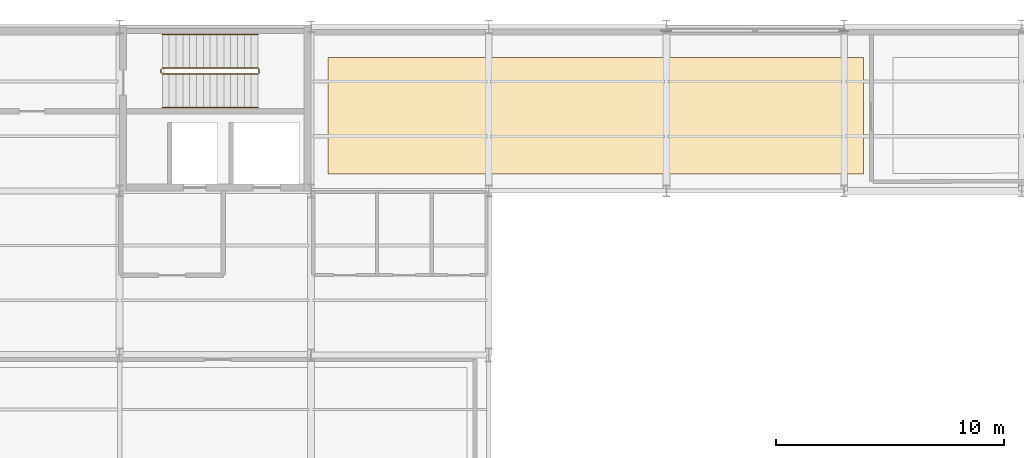
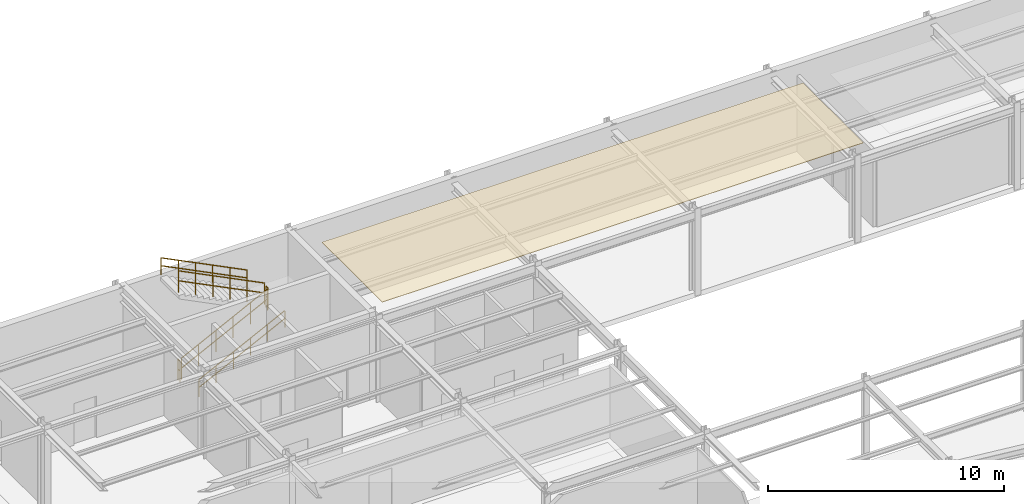
# One storey, part 97 of 101: 6 railings, 1 covering.
"""IFC4 building model written with IfcOpenShell, lengths in metres."""

from ifc_helpers import new_model, si_unit, derived_unit, direction, frame, origin, origin_2d, place, context, subcontext, project, spatial, polyline, circle, outline, extrude, material, layer, layer_set, type_object, element, save


model = new_model("IFC4")

# Units and contexts
model_context = context("Model", 3, precision=1e-05, world=origin(), true_north=direction((0.0, 1.0)))
body_context = subcontext(model_context, "Body", "Model", "MODEL_VIEW")
ifc_project = project(units=[si_unit("LENGTHUNIT", "METRE"), si_unit("AREAUNIT", "SQUARE_METRE"), si_unit("VOLUMEUNIT", "CUBIC_METRE"), si_unit("PLANEANGLEUNIT", "RADIAN"), si_unit("MASSUNIT", "GRAM", prefix="KILO"), derived_unit("THERMALTRANSMITTANCEUNIT", [(si_unit("POWERUNIT", "WATT"), 1), (si_unit("AREAUNIT", "SQUARE_METRE"), -1), (si_unit("THERMODYNAMICTEMPERATUREUNIT", "KELVIN"), -1)])], contexts=[model_context])

# Site, building, storey
site_placement = place(None, origin())
site = spatial("IfcSite", under=ifc_project, at=site_placement, CompositionType="ELEMENT")
building_placement = place(site_placement, origin())
building = spatial("IfcBuilding", under=site, at=building_placement, Name="Yasenodar Specialist Clinic", CompositionType="ELEMENT")
storey_placement = place(building_placement, origin())
storey = spatial("IfcBuildingStorey", under=building, at=storey_placement, Name="L00", CompositionType="ELEMENT", Elevation=0.0)

# Covering
ifc_material_1 = material(Name="Hygienic Acoustic Mineral-Fibre Ceiling")
ifc_layer = layer(ifc_material_1, 0.02490234375)
ifc_layer_set = layer_set([ifc_layer], Name="Hygienic Acoustic Mineral-Fibre Ceiling")
covering_type = type_object("IfcCoveringType", Name="COV-CEIL-AC", PredefinedType="CEILING", material=ifc_layer_set)
covering_placement = place(storey_placement, frame((0.0, 0.0, 4.22509765625)))
element("IfcCovering", 1, at=covering_placement, inside=storey, type_object=covering_type, Name="L00 Clean Clinical Instrument Store Acoustic Ceiling", PredefinedType="CEILING", context=body_context, shape_type="SweptSolid", body=[
    extrude(outline(polyline([(89.64990234375, 105.14990234375), (66.14990234375, 105.14990234375), (66.14990234375, 110.25), (89.64990234375, 110.25), (89.64990234375, 105.14990234375)])), origin(), (0.0, 0.0, 1.0), 0.02490234375),
])

# Railings
ifc_material_2 = material(Name="Steel S355 Painted Stair Guardrail", Category="steel")
railing_type_1 = type_object("IfcRailingType", Name="RL-ST-GRD", PredefinedType="GUARDRAIL", material=ifc_material_2)
railing_1_placement = place(storey_placement, frame((58.8701171875, 109.530029296875, 0.14990234375)))
element("IfcRailing", 2, at=railing_1_placement, inside=storey, type_object=railing_type_1, Name="L00 ST-04 stair guard 1", PredefinedType="GUARDRAIL", context=body_context, shape_type="SweptSolid", body=[
    extrude(circle(Radius=0.02392578125, at=origin_2d()), frame((0.0, 0.0, 1.09619140625), z_axis=(0.894416792377, 0.0, 0.447234392142), x_axis=(0.0, 1.0, 0.0)), (0.0, 0.0, 1.0), 4.69580078125),
    extrude(circle(Radius=0.02392578125, at=origin_2d()), frame((0.0, 0.0, 0.58251953125), z_axis=(0.894416792377, 0.0, 0.447234392142), x_axis=(0.0, 1.0, 0.0)), (0.0, 0.0, 1.0), 4.69580078125),
    extrude(circle(Radius=0.02099609375, at=origin_2d()), origin(), (0.0, 0.0, 1.0), 1.072021484375),
    extrude(circle(Radius=0.02099609375, at=origin_2d()), frame((0.840087890625, 0.0, 0.419921875)), (0.0, 0.0, 1.0), 1.072021484375),
    extrude(circle(Radius=0.02099609375, at=origin_2d()), frame((1.679931640625, 0.0, 0.840087890625)), (0.0, 0.0, 1.0), 1.072021484375),
    extrude(circle(Radius=0.02099609375, at=origin_2d()), frame((2.52001953125, 0.0, 1.260009765625)), (0.0, 0.0, 1.0), 1.072021484375),
    extrude(circle(Radius=0.02099609375, at=origin_2d()), frame((3.35986328125, 0.0, 1.68017578125)), (0.0, 0.0, 1.0), 1.072021484375),
    extrude(circle(Radius=0.02099609375, at=origin_2d()), frame((4.199951171875, 0.0, 2.10009765625)), (0.0, 0.0, 1.0), 1.072021484375),
])
railing_2_placement = place(storey_placement, frame((63.1201171875, 109.580078125, 2.25)))
element("IfcRailing", 3, at=railing_2_placement, inside=storey, type_object=railing_type_1, Name="L00 ST-04 stair guard 2", PredefinedType="GUARDRAIL", context=body_context, shape_type="SweptSolid", body=[
    extrude(circle(Radius=0.02392578125, at=origin_2d()), frame((0.0, 0.0, 1.09619140625), z_axis=(0.0, 1.0, 0.0), x_axis=(-1.0, 0.0, 0.0)), (0.0, 0.0, 1.0), 0.159912109375),
    extrude(circle(Radius=0.02392578125, at=origin_2d()), frame((0.0, 0.0, 0.58251953125), z_axis=(0.0, 1.0, 0.0), x_axis=(-1.0, 0.0, 0.0)), (0.0, 0.0, 1.0), 0.159912109375),
    extrude(circle(Radius=0.02099609375, at=origin_2d()), origin(), (0.0, 0.0, 1.0), 1.072021484375),
    extrude(circle(Radius=0.02099609375, at=origin_2d()), frame((0.0, 0.159912109375, 0.0)), (0.0, 0.0, 1.0), 1.072021484375),
])
railing_3_placement = place(storey_placement, frame((63.070068359375, 109.7900390625, 2.39990234375)))
element("IfcRailing", 4, at=railing_3_placement, inside=storey, type_object=railing_type_1, Name="L00 ST-04 stair guard 3", PredefinedType="GUARDRAIL", context=body_context, shape_type="SweptSolid", body=[
    extrude(circle(Radius=0.02392578125, at=origin_2d()), frame((0.0, 0.0, 1.09619140625), z_axis=(-0.894416792377, 0.0, 0.447234392142), x_axis=(0.0, -1.0, 0.0)), (0.0, 0.0, 1.0), 4.69580078125),
    extrude(circle(Radius=0.02392578125, at=origin_2d()), frame((0.0, 0.0, 0.58251953125), z_axis=(-0.894416792377, 0.0, 0.447234392142), x_axis=(0.0, -1.0, 0.0)), (0.0, 0.0, 1.0), 4.69580078125),
    extrude(circle(Radius=0.02099609375, at=origin_2d()), origin(), (0.0, 0.0, 1.0), 1.072021484375),
    extrude(circle(Radius=0.02099609375, at=origin_2d()), frame((-0.840087890625, 0.0, 0.419921875)), (0.0, 0.0, 1.0), 1.072021484375),
    extrude(circle(Radius=0.02099609375, at=origin_2d()), frame((-1.679931640625, 0.0, 0.840087890625)), (0.0, 0.0, 1.0), 1.072021484375),
    extrude(circle(Radius=0.02099609375, at=origin_2d()), frame((-2.52001953125, 0.0, 1.260009765625)), (0.0, 0.0, 1.0), 1.072021484375),
    extrude(circle(Radius=0.02099609375, at=origin_2d()), frame((-3.35986328125, 0.0, 1.68017578125)), (0.0, 0.0, 1.0), 1.072021484375),
    extrude(circle(Radius=0.02099609375, at=origin_2d()), frame((-4.199951171875, 0.0, 2.10009765625)), (0.0, 0.0, 1.0), 1.072021484375),
])
railing_4_placement = place(storey_placement, frame((58.820068359375, 109.580078125, 0.0)))
element("IfcRailing", 5, at=railing_4_placement, inside=storey, type_object=railing_type_1, Name="L00 ST-04 stair guard 4", PredefinedType="GUARDRAIL", context=body_context, shape_type="SweptSolid", body=[
    extrude(circle(Radius=0.02392578125, at=origin_2d()), frame((0.0, 0.0, 1.09619140625), z_axis=(0.0, 1.0, 0.0), x_axis=(-1.0, 0.0, 0.0)), (0.0, 0.0, 1.0), 0.159912109375),
    extrude(circle(Radius=0.02392578125, at=origin_2d()), frame((0.0, 0.0, 0.58251953125), z_axis=(0.0, 1.0, 0.0), x_axis=(-1.0, 0.0, 0.0)), (0.0, 0.0, 1.0), 0.159912109375),
    extrude(circle(Radius=0.02099609375, at=origin_2d()), origin(), (0.0, 0.0, 1.0), 1.072021484375),
    extrude(circle(Radius=0.02099609375, at=origin_2d()), frame((0.0, 0.159912109375, 0.0)), (0.0, 0.0, 1.0), 1.072021484375),
])
ifc_material_3 = material(Name="Brushed Stainless Steel Handrail", Category="steel")
railing_type_2 = type_object("IfcRailingType", Name="RL-ST-HND", PredefinedType="HANDRAIL", material=ifc_material_3)
railing_5_placement = place(storey_placement, frame((58.8701171875, 108.06005859375, 0.14990234375)))
element("IfcRailing", 6, at=railing_5_placement, inside=storey, type_object=railing_type_2, Name="L00 ST-04 stair handrail 1", PredefinedType="HANDRAIL", context=body_context, shape_type="SweptSolid", body=[
    extrude(circle(Radius=0.02392578125, at=origin_2d()), frame((0.0, 0.0, 0.8759765625), z_axis=(0.894416792377, 0.0, 0.447234392142), x_axis=(0.0, 1.0, 0.0)), (0.0, 0.0, 1.0), 4.69580078125),
    extrude(circle(Radius=0.02392578125, at=origin_2d()), frame((0.0, 0.0, 0.468017578125), z_axis=(0.894416792377, 0.0, 0.447234392142), x_axis=(0.0, 1.0, 0.0)), (0.0, 0.0, 1.0), 4.69580078125),
    extrude(circle(Radius=0.02099609375, at=origin_2d()), origin(), (0.0, 0.0, 1.0), 0.851806640625),
    extrude(circle(Radius=0.02099609375, at=origin_2d()), frame((0.840087890625, 0.0, 0.419921875)), (0.0, 0.0, 1.0), 0.851806640625),
    extrude(circle(Radius=0.02099609375, at=origin_2d()), frame((1.679931640625, 0.0, 0.840087890625)), (0.0, 0.0, 1.0), 0.851806640625),
    extrude(circle(Radius=0.02099609375, at=origin_2d()), frame((2.52001953125, 0.0, 1.260009765625)), (0.0, 0.0, 1.0), 0.851806640625),
    extrude(circle(Radius=0.02099609375, at=origin_2d()), frame((3.35986328125, 0.0, 1.68017578125)), (0.0, 0.0, 1.0), 0.851806640625),
    extrude(circle(Radius=0.02099609375, at=origin_2d()), frame((4.199951171875, 0.0, 2.10009765625)), (0.0, 0.0, 1.0), 0.851806640625),
])
railing_6_placement = place(storey_placement, frame((63.070068359375, 111.260009765625, 2.39990234375)))
element("IfcRailing", 7, at=railing_6_placement, inside=storey, type_object=railing_type_2, Name="L00 ST-04 stair handrail 2", PredefinedType="HANDRAIL", context=body_context, shape_type="SweptSolid", body=[
    extrude(circle(Radius=0.02392578125, at=origin_2d()), frame((0.0, 0.0, 0.8759765625), z_axis=(-0.894416792377, 0.0, 0.447234392142), x_axis=(0.0, -1.0, 0.0)), (0.0, 0.0, 1.0), 4.69580078125),
    extrude(circle(Radius=0.02392578125, at=origin_2d()), frame((0.0, 0.0, 0.468017578125), z_axis=(-0.894416792377, 0.0, 0.447234392142), x_axis=(0.0, -1.0, 0.0)), (0.0, 0.0, 1.0), 4.69580078125),
    extrude(circle(Radius=0.02099609375, at=origin_2d()), origin(), (0.0, 0.0, 1.0), 0.851806640625),
    extrude(circle(Radius=0.02099609375, at=origin_2d()), frame((-0.840087890625, 0.0, 0.419921875)), (0.0, 0.0, 1.0), 0.851806640625),
    extrude(circle(Radius=0.02099609375, at=origin_2d()), frame((-1.679931640625, 0.0, 0.840087890625)), (0.0, 0.0, 1.0), 0.851806640625),
    extrude(circle(Radius=0.02099609375, at=origin_2d()), frame((-2.52001953125, 0.0, 1.260009765625)), (0.0, 0.0, 1.0), 0.851806640625),
    extrude(circle(Radius=0.02099609375, at=origin_2d()), frame((-3.35986328125, 0.0, 1.68017578125)), (0.0, 0.0, 1.0), 0.851806640625),
    extrude(circle(Radius=0.02099609375, at=origin_2d()), frame((-4.199951171875, 0.0, 2.10009765625)), (0.0, 0.0, 1.0), 0.851806640625),
])

save(model, "model.ifc")
